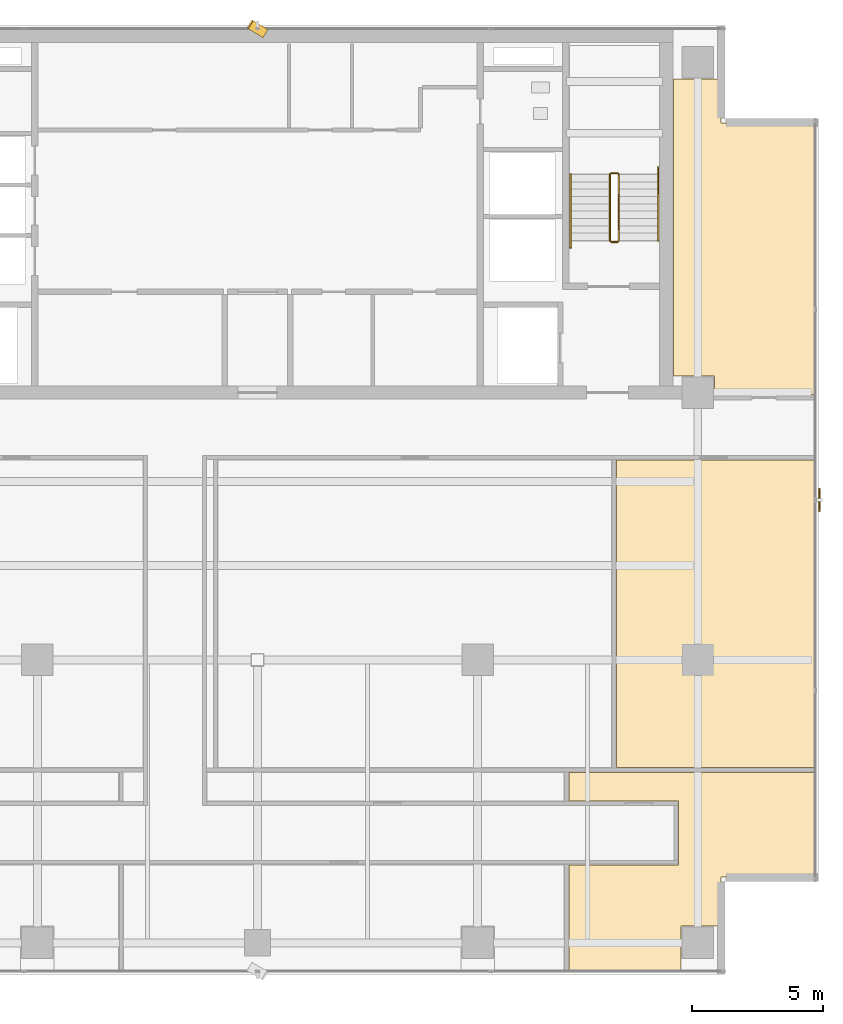
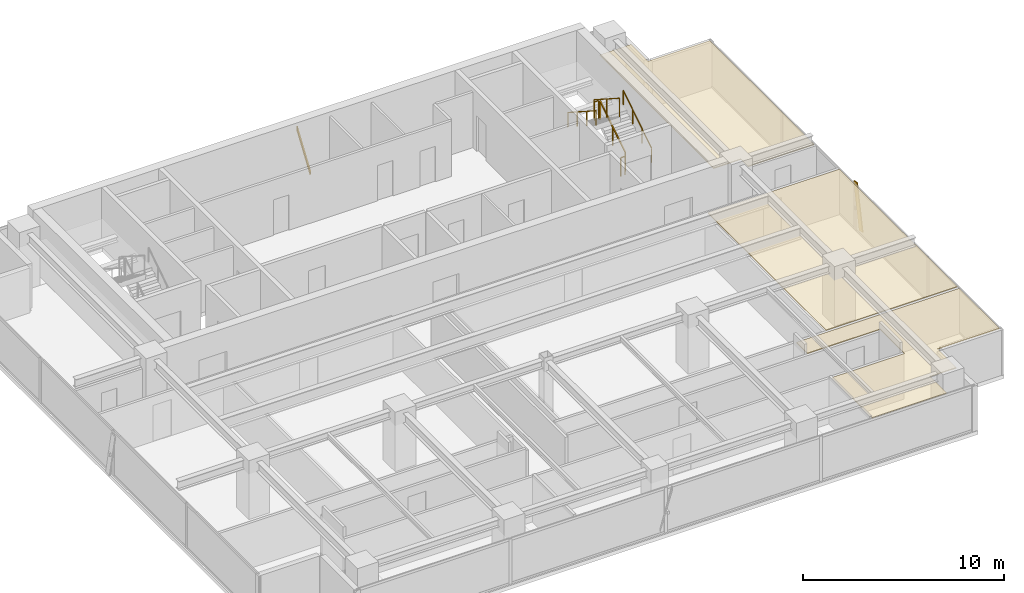
# One storey, part 19 of 20: 6 railings, 3 coverings, 2 shading devices.
"""IFC4 building model written with IfcOpenShell, lengths in metres."""

import ifcopenshell
import ifcopenshell.guid

model = None  # the IFC model being written
_history = None  # IfcOwnerHistory: only IFC2X3 demands one
_inside = {}  # id of a spatial element -> (the spatial element, [elements in it])
_under = {}  # id of a project, library or spatial element -> (it, [spatial elements below it])
_declared = {}  # id of a project -> (the project, [libraries it declares])
_typed = {}  # id of a type object -> (the type object, [elements of that type])
_made_of = {}  # id of a material, layer set ... -> (it, [elements and type objects made of it])


def new_model(schema):
    """Start an empty IFC model of exactly this schema.

    Asked for "IFC4X3", IfcOpenShell would pick the latest addendum, in which some entities
    have other attributes; the version numbers below select the first issue.
    IFC2X3 requires an IfcOwnerHistory on every rooted entity: one is made here for all.
    """
    global model, _history
    if schema == "IFC4X3":
        model = ifcopenshell.file(schema_version=(4, 3, 0, 0))
    else:
        model = ifcopenshell.file(schema=schema)
    _inside.clear()
    _under.clear()
    _declared.clear()
    _typed.clear()
    _made_of.clear()
    _history = None
    if model.schema == "IFC2X3":
        org = make("IfcOrganization", Name="unknown")
        user = make(
            "IfcPersonAndOrganization",
            ThePerson=make("IfcPerson", FamilyName="unknown"),
            TheOrganization=org,
        )
        app = make(
            "IfcApplication",
            ApplicationDeveloper=org,
            Version="unknown",
            ApplicationFullName="unknown",
            ApplicationIdentifier="unknown",
        )
        _history = make(
            "IfcOwnerHistory",
            OwningUser=user,
            OwningApplication=app,
            ChangeAction="ADDED",
            CreationDate=0,
        )
    return model


def make(cls, **values):
    """One entity of the class cls with the attributes given. An attribute that is None is left unset."""
    return model.create_entity(
        cls, **{name: value for name, value in values.items() if value is not None}
    )


def rooted(cls, **values):
    """An entity with a GlobalId (a new one), such as an element, a storey or a relation."""
    return make(cls, GlobalId=ifcopenshell.guid.new(), OwnerHistory=_history, **values)


def si_unit(unit_type, name, prefix=None):
    """IfcSIUnit, for example si_unit("LENGTHUNIT", "METRE", prefix="MILLI")."""
    return make("IfcSIUnit", UnitType=unit_type, Prefix=prefix, Name=name)


def assignment(units):
    """IfcUnitAssignment: the units of a project."""
    return None if units is None else make("IfcUnitAssignment", Units=units)


def point(xyz):
    """IfcCartesianPoint."""
    return None if xyz is None else make("IfcCartesianPoint", Coordinates=xyz)


def direction(xyz):
    """IfcDirection."""
    return None if xyz is None else make("IfcDirection", DirectionRatios=xyz)


def frame(location, z_axis=None, x_axis=None):
    """IfcAxis2Placement3D, a coordinate frame: its origin and axes. An axis left out is left unset."""
    return make(
        "IfcAxis2Placement3D",
        Location=point(location),
        Axis=direction(z_axis),
        RefDirection=direction(x_axis),
    )


def frame_2d(location, x_axis=None):
    """IfcAxis2Placement2D, a coordinate frame in the plane: its origin and x axis."""
    return make(
        "IfcAxis2Placement2D", Location=point(location), RefDirection=direction(x_axis)
    )


def origin():
    """The frame at (0, 0, 0) with its axes left unset."""
    return frame((0.0, 0.0, 0.0))


def origin_2d():
    """The frame at (0, 0) in the plane with its x axis left unset."""
    return frame_2d((0.0, 0.0))


def place(relative_to, where):
    """IfcLocalPlacement: puts the frame where relative to a parent placement (None: the world)."""
    return make(
        "IfcLocalPlacement", PlacementRelTo=relative_to, RelativePlacement=where
    )


def context(
    kind, dimensions, precision=None, world=None, true_north=None, identifier=None
):
    """IfcGeometricRepresentationContext, for example the 3D "Model" context."""
    return make(
        "IfcGeometricRepresentationContext",
        ContextIdentifier=identifier,
        ContextType=kind,
        CoordinateSpaceDimension=dimensions,
        Precision=precision,
        WorldCoordinateSystem=world,
        TrueNorth=true_north,
    )


def subcontext(parent, identifier, kind, view, scale=None):
    """IfcGeometricRepresentationSubContext, for example "Body" below "Model"."""
    return make(
        "IfcGeometricRepresentationSubContext",
        ContextIdentifier=identifier,
        ContextType=kind,
        ParentContext=parent,
        TargetScale=scale,
        TargetView=view,
    )


def project(units=None, contexts=None):
    """IfcProject with its units and contexts."""
    return rooted(
        "IfcProject",
        Name="project",
        RepresentationContexts=contexts,
        UnitsInContext=assignment(units),
    )


def spatial(cls, under=None, at=None, **own):
    """A site, building, storey or space (cls), placed at a placement, below another one or the project."""
    s = rooted(cls, ObjectPlacement=at, **own)
    if under is not None:
        _under.setdefault(under.id(), (under, []))[1].append(s)
    return s


def polyline(points):
    """IfcPolyline through the points."""
    return make("IfcPolyline", Points=[point(p) for p in points])


def profile(cls, at=None, kind="AREA", **sizes):
    """A parametric profile (cls). Its sizes go by their IFC names, for example OverallWidth=200.0."""
    return make(cls, ProfileType=kind, Position=at, **sizes)


def rectangle(**sizes):
    """IfcRectangleProfileDef."""
    return profile("IfcRectangleProfileDef", **sizes)


def outline(outer, holes=None, kind="AREA"):
    """IfcArbitraryClosedProfileDef: a profile drawn as a closed curve; with holes, ...WithVoids."""
    if holes is None:
        return make("IfcArbitraryClosedProfileDef", ProfileType=kind, OuterCurve=outer)
    return make(
        "IfcArbitraryProfileDefWithVoids",
        ProfileType=kind,
        OuterCurve=outer,
        InnerCurves=holes,
    )


def extrude(swept, where, along, depth):
    """IfcExtrudedAreaSolid: the profile swept, set in the frame where, extruded along a direction by depth."""
    return make(
        "IfcExtrudedAreaSolid",
        SweptArea=swept,
        Position=where,
        ExtrudedDirection=direction(along),
        Depth=depth,
    )


def shape(context_of_items, identifier, shape_type, items):
    """IfcShapeRepresentation: the items that make up one representation, for example the "Body"."""
    return make(
        "IfcShapeRepresentation",
        ContextOfItems=context_of_items,
        RepresentationIdentifier=identifier,
        RepresentationType=shape_type,
        Items=items,
    )


def source(mapping_origin, context_of_items, identifier, shape_type, items):
    """IfcRepresentationMap: a shape defined once, which mapped items show again and again."""
    return make(
        "IfcRepresentationMap",
        MappingOrigin=mapping_origin,
        MappedRepresentation=shape(context_of_items, identifier, shape_type, items),
    )


def transform(
    local_origin,
    x_axis=None,
    y_axis=None,
    z_axis=None,
    scale=None,
    scale2=None,
    scale3=None,
    uniform=True,
):
    """IfcCartesianTransformationOperator3D, or its non-uniform kind. x_axis, y_axis, z_axis: its Axis1, 2, 3."""
    if uniform:
        return make(
            "IfcCartesianTransformationOperator3D",
            Axis1=direction(x_axis),
            Axis2=direction(y_axis),
            LocalOrigin=point(local_origin),
            Scale=scale,
            Axis3=direction(z_axis),
        )
    return make(
        "IfcCartesianTransformationOperator3DnonUniform",
        Axis1=direction(x_axis),
        Axis2=direction(y_axis),
        LocalOrigin=point(local_origin),
        Scale=scale,
        Axis3=direction(z_axis),
        Scale2=scale2,
        Scale3=scale3,
    )


def mapped(mapping_source, mapping_target):
    """IfcMappedItem: shows the shape of a source again, moved by a transform."""
    return make(
        "IfcMappedItem", MappingSource=mapping_source, MappingTarget=mapping_target
    )


def material(Name=None, Category=None):
    """IfcMaterial."""
    return make("IfcMaterial", Name=Name, Category=Category)


def layer(
    of_material, thickness, ventilated=None, Name=None, Category=None, Priority=None
):
    """IfcMaterialLayer: one layer of a wall or slab, of a material (None: an air gap)."""
    return make(
        "IfcMaterialLayer",
        Material=of_material,
        LayerThickness=thickness,
        IsVentilated=ventilated,
        Name=Name,
        Category=Category,
        Priority=Priority,
    )


def layer_set(layers, Name=None):
    """IfcMaterialLayerSet."""
    return make("IfcMaterialLayerSet", MaterialLayers=layers, LayerSetName=Name)


def material_profile(
    of_material, cross_section, Name=None, Category=None, Priority=None
):
    """IfcMaterialProfile: a cross section and its material."""
    return make(
        "IfcMaterialProfile",
        Name=Name,
        Material=of_material,
        Profile=cross_section,
        Priority=Priority,
        Category=Category,
    )


def profile_set(profiles, Name=None, composite=None):
    """IfcMaterialProfileSet."""
    return make(
        "IfcMaterialProfileSet",
        Name=Name,
        MaterialProfiles=profiles,
        CompositeProfile=composite,
    )


def made_of(thing, what):
    """Note that an element or type object is made of a material, layer set ...; save() writes the relation."""
    if what is not None:
        _made_of.setdefault(what.id(), (what, []))[1].append(thing)
    return thing


def type_object(cls, material=None, **own):
    """A type object (cls), such as IfcWallType, which elements share."""
    return made_of(rooted(cls, **own), material)


def element(
    cls,
    number,
    at=None,
    inside=None,
    cuts=None,
    type_object=None,
    material=None,
    context=None,
    identifier="Body",
    shape_type=None,
    held_by="IfcProductDefinitionShape",
    body=None,
    shapes=None,
    **own,
):
    """One element of the class cls, such as IfcWall. Its Tag is "e" and its number.

    at: its placement. inside: the storey or other place that contains it. cuts: it is an
    opening in that element (IfcRelVoidsElement). A single representation is given by context,
    identifier, shape_type and body (its items); several are given by shapes. held_by: the class
    of the entity that holds the representations. save() writes the other relations.
    """
    e = rooted(cls, Tag="e%d" % number, ObjectPlacement=at, **own)
    if body is not None:
        shapes = [shape(context, identifier, shape_type, body)]
    if shapes is not None:
        e.Representation = make(held_by, Representations=shapes)
    if inside is not None:
        _inside.setdefault(inside.id(), (inside, []))[1].append(e)
    if cuts is not None:
        rooted(
            "IfcRelVoidsElement", RelatingBuildingElement=cuts, RelatedOpeningElement=e
        )
    if type_object is not None:
        _typed.setdefault(type_object.id(), (type_object, []))[1].append(e)
    return made_of(e, material)


def aggregate(whole, parts):
    """IfcRelAggregates: a whole, such as a stair, and the parts it consists of."""
    return rooted("IfcRelAggregates", RelatingObject=whole, RelatedObjects=parts)


def save(model, path):
    """Write the relations noted so far, then the file.

    IfcRelAggregates (storeys below a building ...), IfcRelContainedInSpatialStructure (elements
    in a storey), IfcRelDefinesByType, IfcRelAssociatesMaterial and IfcRelDeclares: one each for
    every whole, place, type object, material and project.
    """
    for whole, parts in _under.values():
        aggregate(whole, parts)
    for where, things in _inside.values():
        rooted(
            "IfcRelContainedInSpatialStructure",
            RelatedElements=things,
            RelatingStructure=where,
        )
    for kind, things in _typed.values():
        rooted("IfcRelDefinesByType", RelatedObjects=things, RelatingType=kind)
    for what, things in _made_of.values():
        rooted("IfcRelAssociatesMaterial", RelatedObjects=things, RelatingMaterial=what)
    for by, libraries in _declared.values():
        rooted("IfcRelDeclares", RelatingContext=by, RelatedDefinitions=libraries)
    model.write(path)


model = new_model("IFC4")

# Units and contexts
model_context = context("Model", 3, precision=1e-05, world=origin(), true_north=direction((0.0, 1.0)))
body_context = subcontext(model_context, "Body", "Model", "MODEL_VIEW")
ifc_project = project(units=[si_unit("LENGTHUNIT", "METRE"), si_unit("AREAUNIT", "SQUARE_METRE"), si_unit("VOLUMEUNIT", "CUBIC_METRE"), si_unit("PLANEANGLEUNIT", "RADIAN"), si_unit("MASSUNIT", "GRAM", prefix="KILO")], contexts=[model_context])

# Site, building, storey
site_placement = place(None, origin())
site = spatial("IfcSite", under=ifc_project, at=site_placement, CompositionType="ELEMENT")
building_placement = place(site_placement, origin())
building = spatial("IfcBuilding", under=site, at=building_placement, Name="Sumidabori Civic Tower", CompositionType="ELEMENT")
storey_placement = place(building_placement, frame((0.0, 0.0, 282.800048828125)))
storey = spatial("IfcBuildingStorey", under=building, at=storey_placement, Name="L74", CompositionType="ELEMENT", Elevation=282.800048828125)

# Coverings
ifc_material_1 = material(Name="Anodised Bronze Baffle Ceiling")
ifc_layer = layer(ifc_material_1, 0.054931640625, Name="Anodised Bronze Baffle Ceiling")
ifc_layer_set = layer_set([ifc_layer], Name="Anodised Bronze Baffle Ceiling")
covering_type = type_object("IfcCoveringType", Name="CV-CEIL-AC3", PredefinedType="CEILING", material=ifc_layer_set)
covering_1_placement = place(storey_placement, frame((0.0, 0.0, 2.719970703125)))
element("IfcCovering", 1, at=covering_1_placement, inside=storey, type_object=covering_type, Name="Room Acoustic Ceiling L74-02", PredefinedType="CEILING", context=body_context, shape_type="SweptSolid", body=[
    extrude(outline(polyline([(17.679931640625, 22.159912109375), (17.679931640625, 20.47998046875), (21.22998046875, 20.47998046875), (21.22998046875, 10.1201171875), (17.43994140625, 10.1201171875), (17.43994140625, 10.840087890625), (15.8779296875, 10.840087890625), (15.8779296875, 22.159912109375), (17.679931640625, 22.159912109375)])), origin(), (0.0, 0.0, 1.0), 0.054931640625),
])
covering_2_placement = place(storey_placement, frame((0.0, 0.0, 2.719970703125)))
element("IfcCovering", 2, at=covering_2_placement, inside=storey, type_object=covering_type, Name="Room Acoustic Ceiling L74-06", PredefinedType="CEILING", context=body_context, shape_type="SweptSolid", body=[
    extrude(outline(polyline([(13.695068359375, 7.6298828125), (21.22998046875, 7.6298828125), (21.22998046875, -4.10498046875), (13.695068359375, -4.10498046875), (13.695068359375, 7.6298828125)])), origin(), (0.0, 0.0, 1.0), 0.054931640625),
])
covering_3_placement = place(storey_placement, frame((0.0, 0.0, 2.719970703125)))
element("IfcCovering", 3, at=covering_3_placement, inside=storey, type_object=covering_type, Name="Room Acoustic Ceiling L74-08", PredefinedType="CEILING", context=body_context, shape_type="SweptSolid", body=[
    extrude(outline(polyline([(16.070068359375, -7.820068359375), (16.070068359375, -5.3798828125), (11.89501953125, -5.3798828125), (11.89501953125, -4.294921875), (21.22998046875, -4.294921875), (21.22998046875, -8.280029296875), (17.679931640625, -8.280029296875), (17.679931640625, -10.159912109375), (16.159912109375, -10.159912109375), (16.159912109375, -11.830078125), (11.89501953125, -11.830078125), (11.89501953125, -7.820068359375), (16.070068359375, -7.820068359375)])), origin(), (0.0, 0.0, 1.0), 0.054931640625),
])

# Railings
ifc_material_2 = material(Name="Stainless Steel Hairline Finish", Category="steel")
railing_type_1 = type_object("IfcRailingType", Name="RL-HANDRAIL", PredefinedType="HANDRAIL", material=ifc_material_2)
railing_1_placement = place(storey_placement, frame((15.2900390625, 16.0, 0.179931640625)))
element("IfcRailing", 4, at=railing_1_placement, inside=storey, type_object=railing_type_1, Name="L74 ST-2 stair handrail 1", PredefinedType="HANDRAIL", context=body_context, shape_type="SweptSolid", body=[
    extrude(rectangle(XDim=0.048095703125, YDim=0.048095703125, at=origin_2d()), frame((0.0, 0.0, 0.8759765625), z_axis=(0.0, 0.840675598268, 0.541539046124), x_axis=(-1.0, 0.0, 0.0)), (0.0, 0.0, 1.0), 3.330810546875),
    extrude(rectangle(XDim=0.0419921875, YDim=0.0419921875, at=origin_2d()), origin(), (0.0, 0.0, 1.0), 0.851806640625),
    extrude(rectangle(XDim=0.0419921875, YDim=0.0419921875, at=origin_2d()), frame((0.0, 0.933349609375, 0.601318359375)), (0.0, 0.0, 1.0), 0.851806640625),
    extrude(rectangle(XDim=0.0419921875, YDim=0.0419921875, at=origin_2d()), frame((0.0, 1.86669921875, 1.202392578125)), (0.0, 0.0, 1.0), 0.851806640625),
    extrude(rectangle(XDim=0.0419921875, YDim=0.0419921875, at=origin_2d()), frame((0.0, 2.800048828125, 1.8037109375)), (0.0, 0.0, 1.0), 0.851806640625),
])
railing_2_placement = place(storey_placement, frame((11.949951171875, 18.52001953125, 1.97998046875)))
element("IfcRailing", 5, at=railing_2_placement, inside=storey, type_object=railing_type_1, Name="L74 ST-2 stair handrail 2", PredefinedType="HANDRAIL", context=body_context, shape_type="SweptSolid", body=[
    extrude(rectangle(XDim=0.048095703125, YDim=0.048095703125, at=origin_2d()), frame((0.0, 0.0, 0.8759765625), z_axis=(0.0, -0.840675598268, 0.541539046124), x_axis=(1.0, 0.0, 0.0)), (0.0, 0.0, 1.0), 3.330810546875),
    extrude(rectangle(XDim=0.0419921875, YDim=0.0419921875, at=origin_2d()), origin(), (0.0, 0.0, 1.0), 0.851806640625),
    extrude(rectangle(XDim=0.0419921875, YDim=0.0419921875, at=origin_2d()), frame((0.0, -0.933349609375, 0.601318359375)), (0.0, 0.0, 1.0), 0.851806640625),
    extrude(rectangle(XDim=0.0419921875, YDim=0.0419921875, at=origin_2d()), frame((0.0, -1.86669921875, 1.202392578125)), (0.0, 0.0, 1.0), 0.851806640625),
    extrude(rectangle(XDim=0.0419921875, YDim=0.0419921875, at=origin_2d()), frame((0.0, -2.800048828125, 1.8037109375)), (0.0, 0.0, 1.0), 0.851806640625),
])
ifc_material_3 = material(Name="Steel SN490", Category="steel")
railing_type_2 = type_object("IfcRailingType", Name="RL-STAIR-GUARD", PredefinedType="GUARDRAIL", material=ifc_material_3)
railing_3_placement = place(storey_placement, frame((13.7900390625, 16.0, 0.179931640625)))
element("IfcRailing", 6, at=railing_3_placement, inside=storey, type_object=railing_type_2, Name="L74 ST-2 stair guard 1", PredefinedType="GUARDRAIL", context=body_context, shape_type="SweptSolid", body=[
    extrude(rectangle(XDim=0.048095703125, YDim=0.048095703125, at=origin_2d()), frame((0.0, 0.0, 1.1259765625), z_axis=(0.0, 0.841162588446, 0.540782303519), x_axis=(-1.0, 0.0, 0.0)), (0.0, 0.0, 1.0), 2.995849609375),
    extrude(rectangle(XDim=0.0419921875, YDim=0.0419921875, at=origin_2d()), origin(), (0.0, 0.0, 1.0), 1.101806640625),
    extrude(rectangle(XDim=0.0419921875, YDim=0.0419921875, at=origin_2d()), frame((0.0, 1.260009765625, 0.81005859375)), (0.0, 0.0, 1.0), 1.101806640625),
    extrude(rectangle(XDim=0.0419921875, YDim=0.0419921875, at=origin_2d()), frame((0.0, 2.52001953125, 1.6201171875)), (0.0, 0.0, 1.0), 1.101806640625),
])
railing_4_placement = place(storey_placement, frame((13.739990234375, 18.570068359375, 1.800048828125)))
element("IfcRailing", 7, at=railing_4_placement, inside=storey, type_object=railing_type_2, Name="L74 ST-2 stair guard 2", PredefinedType="GUARDRAIL", context=body_context, shape_type="SweptSolid", body=[
    extrude(rectangle(XDim=0.048095703125, YDim=0.048095703125, at=origin_2d()), frame((0.0, 0.0, 1.1259765625), z_axis=(-1.0, 0.0, 0.0), x_axis=(0.0, -1.0, 0.0)), (0.0, 0.0, 1.0), 0.239990234375),
    extrude(rectangle(XDim=0.0419921875, YDim=0.0419921875, at=origin_2d()), origin(), (0.0, 0.0, 1.0), 1.101806640625),
    extrude(rectangle(XDim=0.0419921875, YDim=0.0419921875, at=origin_2d()), frame((-0.239990234375, 0.0, 0.0)), (0.0, 0.0, 1.0), 1.101806640625),
])
railing_5_placement = place(storey_placement, frame((13.449951171875, 18.52001953125, 1.97998046875)))
element("IfcRailing", 8, at=railing_5_placement, inside=storey, type_object=railing_type_2, Name="L74 ST-2 stair guard 3", PredefinedType="GUARDRAIL", context=body_context, shape_type="SweptSolid", body=[
    extrude(rectangle(XDim=0.048095703125, YDim=0.048095703125, at=origin_2d()), frame((0.0, 0.0, 1.1259765625), z_axis=(0.0, -0.841199657755, 0.540724639528), x_axis=(1.0, 0.0, 0.0)), (0.0, 0.0, 1.0), 2.995849609375),
    extrude(rectangle(XDim=0.0419921875, YDim=0.0419921875, at=origin_2d()), origin(), (0.0, 0.0, 1.0), 1.101806640625),
    extrude(rectangle(XDim=0.0419921875, YDim=0.0419921875, at=origin_2d()), frame((0.0, -1.260009765625, 0.81005859375)), (0.0, 0.0, 1.0), 1.101806640625),
    extrude(rectangle(XDim=0.0419921875, YDim=0.0419921875, at=origin_2d()), frame((0.0, -2.52001953125, 1.619873046875)), (0.0, 0.0, 1.0), 1.101806640625),
])
railing_6_placement = place(storey_placement, frame((13.739990234375, 15.949951171875, 0.0)))
element("IfcRailing", 9, at=railing_6_placement, inside=storey, type_object=railing_type_2, Name="L74 ST-2 stair guard 4", PredefinedType="GUARDRAIL", context=body_context, shape_type="SweptSolid", body=[
    extrude(rectangle(XDim=0.048095703125, YDim=0.048095703125, at=origin_2d()), frame((0.0, 0.0, 1.1259765625), z_axis=(-1.0, 0.0, 0.0), x_axis=(0.0, -1.0, 0.0)), (0.0, 0.0, 1.0), 0.239990234375),
    extrude(rectangle(XDim=0.0419921875, YDim=0.0419921875, at=origin_2d()), origin(), (0.0, 0.0, 1.0), 1.101806640625),
    extrude(rectangle(XDim=0.0419921875, YDim=0.0419921875, at=origin_2d()), frame((-0.239990234375, 0.0, 0.0)), (0.0, 0.0, 1.0), 1.101806640625),
])

# Shading devices
ifc_material_4 = material(Name="Anodised Bronze Aluminium AW-6063-T6", Category="aluminium")
ifc_material_profile = material_profile(ifc_material_4, rectangle(XDim=0.054931640625, YDim=0.360107421875, at=origin_2d()), Name="BRONZE FIN 360x55")
ifc_profile_set = profile_set([ifc_material_profile], Name="Anodised Bronze Aluminium AW-6063-T6")
shading_device_type = type_object("IfcShadingDeviceType", Name="SH-FIN-360", PredefinedType="USERDEFINED", material=ifc_profile_set)
shared_shape_1 = source(origin(), body_context, "Body", "SweptSolid", [
    extrude(rectangle(XDim=0.054931640625, YDim=0.360107421875, at=origin_2d()), origin(), (0.0, 0.0, 1.0), 2.7685546875),
])
shading_device_1_placement = place(storey_placement, frame((0.280029296875, 23.909912109375, 0.02001953125), z_axis=(-0.202289930374, 0.122837782481, 0.971591304646), x_axis=(0.830469701518, -0.504291322674, 0.236665030656)))
element("IfcShadingDevice", 10, at=shading_device_1_placement, inside=storey, type_object=shading_device_type, Name="Bronze Anodised Diagonal Fin L74-02", ObjectType="FIN", PredefinedType="USERDEFINED", context=body_context, shape_type="MappedRepresentation", body=[
    mapped(shared_shape_1, transform((0.0, 0.0, 0.0), x_axis=(1.0, 0.0, 0.0), y_axis=(0.0, 1.0, 0.0), z_axis=(0.0, 0.0, 1.0), scale=1.0)),
])
shared_shape_2 = source(origin(), body_context, "Body", "SweptSolid", [
    extrude(rectangle(XDim=0.054931640625, YDim=0.360107421875, at=origin_2d()), origin(), (0.0, 0.0, 1.0), 2.74755859375),
])
shading_device_2_placement = place(storey_placement, frame((21.449951171875, 5.820068359375, 0.02001953125), z_axis=(0.0, 0.203748445037, 0.979023274057), x_axis=(-1.0, 0.0, 0.0)))
element("IfcShadingDevice", 11, at=shading_device_2_placement, inside=storey, type_object=shading_device_type, Name="Bronze Anodised Diagonal Fin L74-02", ObjectType="FIN", PredefinedType="USERDEFINED", context=body_context, shape_type="MappedRepresentation", body=[
    mapped(shared_shape_2, transform((0.0, 0.0, 0.0), x_axis=(1.0, 0.0, 0.0), y_axis=(0.0, 1.0, 0.0), z_axis=(0.0, 0.0, 1.0), scale=1.0)),
])

save(model, "model.ifc")
